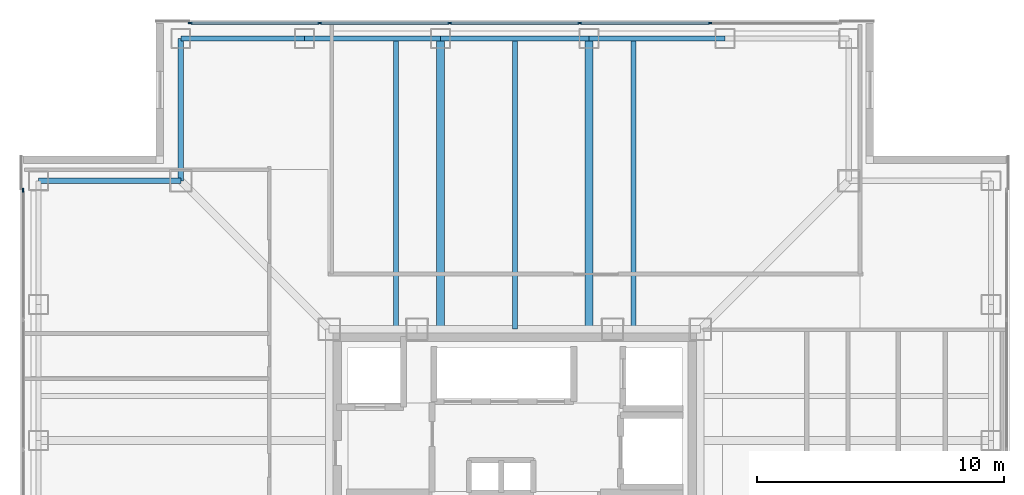
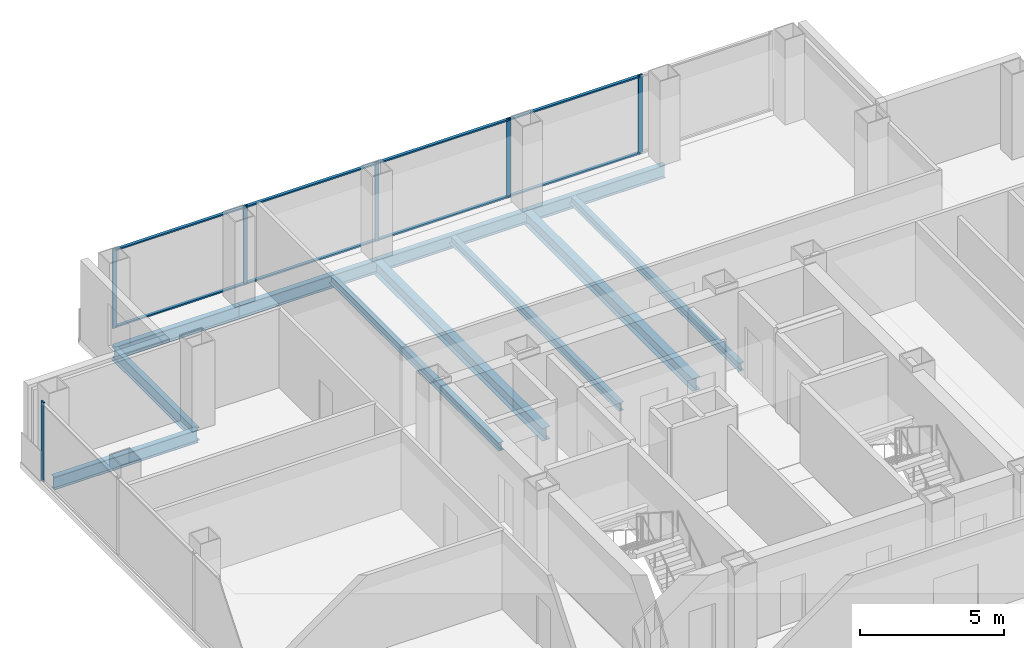
# One storey, part 7 of 17: 14 members, 11 beams, 2 elements without a shape of their own.
"""IFC4 building model written with IfcOpenShell, lengths in metres."""

from ifc_helpers import new_model, si_unit, direction, frame, origin, origin_2d, place, context, subcontext, project, spatial, rectangle, i_section, extrude, material, layer, layer_set, material_profile, profile_set, type_object, element, aggregate, save


model = new_model("IFC4")

# Units and contexts
model_context = context("Model", 3, precision=1e-05, world=origin(), true_north=direction((0.0, 1.0)))
body_context = subcontext(model_context, "Body", "Model", "MODEL_VIEW")
ifc_project = project(units=[si_unit("LENGTHUNIT", "METRE"), si_unit("AREAUNIT", "SQUARE_METRE"), si_unit("VOLUMEUNIT", "CUBIC_METRE"), si_unit("PLANEANGLEUNIT", "RADIAN"), si_unit("MASSUNIT", "GRAM", prefix="KILO")], contexts=[model_context])

# Site, building, storey
site_placement = place(None, origin())
site = spatial("IfcSite", under=ifc_project, at=site_placement, CompositionType="ELEMENT")
building_placement = place(site_placement, origin())
building = spatial("IfcBuilding", under=site, at=building_placement, Name="Trevonay Congress Spire", CompositionType="ELEMENT")
storey_placement = place(building_placement, frame((0.0, 0.0, 209.39990234375)))
storey = spatial("IfcBuildingStorey", under=building, at=storey_placement, Name="L54", CompositionType="ELEMENT", Elevation=209.39990234375)

# Beams
ifc_material_1 = material(Name="Steel ASTM A572 Grade 50", Category="steel")
ifc_material_profile_1 = material_profile(ifc_material_1, i_section(OverallWidth=0.31201171875, OverallDepth=0.54296875, WebThickness=0.0126953125, FlangeThickness=0.020263671875, FilletRadius=0.014892578125, at=origin_2d()), Name="W530x150")
ifc_profile_set_1 = profile_set([ifc_material_profile_1], Name="Steel ASTM A572 Grade 50")
beam_type_1 = type_object("IfcBeamType", Name="BM-GIRD-W530X150", PredefinedType="BEAM", material=ifc_profile_set_1)
for number, where, z_axis, x_axis, name in (
    (1, (-3.0, 7.5, -0.511474609375), (0.0, 1.0, 0.0), (-1.0, 0.0, 0.0), "L54 structural beam BM-L54-GN-M"),
    (2, (3.0, 7.5, -0.511474609375), (0.0, 1.0, 0.0), (-1.0, 0.0, 0.0), "L54 structural beam BM-L54-GN-P"),
):
    element("IfcBeam", number, at=place(storey_placement, frame(where, z_axis=z_axis, x_axis=x_axis)), inside=storey, type_object=beam_type_1, Name=name, PredefinedType="BEAM", context=body_context, shape_type="SweptSolid", body=[
        extrude(i_section(OverallWidth=0.31201171875, OverallDepth=0.54296875, WebThickness=0.0126953125, FlangeThickness=0.020263671875, FilletRadius=0.014892578125, at=origin_2d()), origin(), (0.0, 0.0, 1.0), 11.75),
    ])
ifc_material_profile_2 = material_profile(ifc_material_1, i_section(OverallWidth=0.2119140625, OverallDepth=0.5439453125, WebThickness=0.01318359375, FlangeThickness=0.021240234375, FilletRadius=0.014892578125, at=origin_2d()), Name="W530x123")
ifc_profile_set_2 = profile_set([ifc_material_profile_2], Name="Steel ASTM A572 Grade 50")
beam_type_2 = type_object("IfcBeamType", Name="BM-RING-W530X123", PredefinedType="BEAM", material=ifc_profile_set_2)
beam_1_placement = place(storey_placement, frame((-13.5, 19.25, -0.511962890625), z_axis=(1.0, 0.0, 0.0), x_axis=(0.0, 1.0, 0.0)))
element("IfcBeam", 3, at=beam_1_placement, inside=storey, type_object=beam_type_2, Name="L54 structural beam BM-L54-PN1", PredefinedType="BEAM", context=body_context, shape_type="SweptSolid", body=[
    extrude(i_section(OverallWidth=0.2119140625, OverallDepth=0.5439453125, WebThickness=0.01318359375, FlangeThickness=0.021240234375, FilletRadius=0.014892578125, at=origin_2d()), origin(), (0.0, 0.0, 1.0), 5.0),
])
beam_2_placement = place(storey_placement, frame((-8.5, 19.25, -0.511962890625), z_axis=(1.0, 0.0, 0.0), x_axis=(0.0, 1.0, 0.0)))
element("IfcBeam", 4, at=beam_2_placement, inside=storey, type_object=beam_type_2, Name="L54 structural beam BM-L54-PN2", PredefinedType="BEAM", context=body_context, shape_type="SweptSolid", body=[
    extrude(i_section(OverallWidth=0.2119140625, OverallDepth=0.5439453125, WebThickness=0.01318359375, FlangeThickness=0.021240234375, FilletRadius=0.014892578125, at=origin_2d()), origin(), (0.0, 0.0, 1.0), 5.5),
])
beam_3_placement = place(storey_placement, frame((-3.0, 19.25, -0.511962890625), z_axis=(1.0, 0.0, 0.0), x_axis=(0.0, 1.0, 0.0)))
element("IfcBeam", 5, at=beam_3_placement, inside=storey, type_object=beam_type_2, Name="L54 structural beam BM-L54-PN3", PredefinedType="BEAM", context=body_context, shape_type="SweptSolid", body=[
    extrude(i_section(OverallWidth=0.2119140625, OverallDepth=0.5439453125, WebThickness=0.01318359375, FlangeThickness=0.021240234375, FilletRadius=0.014892578125, at=origin_2d()), origin(), (0.0, 0.0, 1.0), 6.0),
])
beam_4_placement = place(storey_placement, frame((3.0, 19.25, -0.511962890625), z_axis=(1.0, 0.0, 0.0), x_axis=(0.0, 1.0, 0.0)))
element("IfcBeam", 6, at=beam_4_placement, inside=storey, type_object=beam_type_2, Name="L54 structural beam BM-L54-PN4", PredefinedType="BEAM", context=body_context, shape_type="SweptSolid", body=[
    extrude(i_section(OverallWidth=0.2119140625, OverallDepth=0.5439453125, WebThickness=0.01318359375, FlangeThickness=0.021240234375, FilletRadius=0.014892578125, at=origin_2d()), origin(), (0.0, 0.0, 1.0), 5.5),
])
for number, where, z_axis, x_axis, name in (
    (7, (-13.5, 19.25, -0.511962890625), (0.0, -1.0, 0.0), (1.0, 0.0, 0.0), "L54 structural beam BM-L54-N1NW"),
    (8, (-19.25, 13.5, -0.511962890625), (1.0, 0.0, 0.0), (0.0, 1.0, 0.0), "L54 structural beam BM-L54-N2NW"),
):
    element("IfcBeam", number, at=place(storey_placement, frame(where, z_axis=z_axis, x_axis=x_axis)), inside=storey, type_object=beam_type_2, Name=name, PredefinedType="BEAM", context=body_context, shape_type="SweptSolid", body=[
        extrude(i_section(OverallWidth=0.2119140625, OverallDepth=0.5439453125, WebThickness=0.01318359375, FlangeThickness=0.021240234375, FilletRadius=0.014892578125, at=origin_2d()), origin(), (0.0, 0.0, 1.0), 5.75),
    ])

# Curtain wall, members
ifc_material_2 = material(Name="Pale Anodised Aluminium EN AW-6063-T6", Category="aluminium")
ifc_layer = layer(ifc_material_2, 0.169921875, Name="Pale Anodised Aluminium EN AW-6063-T6")
ifc_layer_set = layer_set([ifc_layer], Name="Pale Anodised Aluminium EN AW-6063-T6")
curtain_wall_type = type_object("IfcCurtainWallType", Name="CW-SYS04-CORP-PALE-METAL", PredefinedType="NOTDEFINED", material=ifc_layer_set)
curtain_wall_1_placement = place(storey_placement, origin())
curtain_wall_1 = element("IfcCurtainWall", 9, at=curtain_wall_1_placement, inside=storey, type_object=curtain_wall_type, Name="L54 N unitised curtain wall", PredefinedType="NOTDEFINED")
ifc_material_profile_3 = material_profile(ifc_material_2, rectangle(XDim=0.06005859375, YDim=0.159912109375, at=origin_2d()), Name="CW-MULLION-160-ALUMINIUM")
ifc_profile_set_3 = profile_set([ifc_material_profile_3], Name="Pale Anodised Aluminium EN AW-6063-T6")
member_type_1 = type_object("IfcMemberType", Name="CW-MULLION-160-ALUMINIUM", PredefinedType="MULLION", material=ifc_profile_set_3)
member_1_placement = place(storey_placement, frame((-13.1201171875, 19.8798828125, 0.0), z_axis=(0.0, 0.0, 1.0), x_axis=(0.0, 1.0, 0.0)))
member_1 = element("IfcMember", 10, at=member_1_placement, type_object=member_type_1, Name="CW04 mullion 1", PredefinedType="MULLION", context=body_context, shape_type="SweptSolid", body=[
    extrude(rectangle(XDim=0.06005859375, YDim=0.159912109375, at=origin_2d()), origin(), (0.0, 0.0, 1.0), 3.360107421875),
])
member_2_placement = place(storey_placement, frame((-7.889892578125, 19.8798828125, 0.0), z_axis=(0.0, 0.0, 1.0), x_axis=(0.0, 1.0, 0.0)))
member_2 = element("IfcMember", 11, at=member_2_placement, type_object=member_type_1, Name="CW04 mullion 2", PredefinedType="MULLION", context=body_context, shape_type="SweptSolid", body=[
    extrude(rectangle(XDim=0.06005859375, YDim=0.159912109375, at=origin_2d()), origin(), (0.0, 0.0, 1.0), 3.360107421875),
])
member_3_placement = place(storey_placement, frame((-2.6298828125, 19.8798828125, 0.0), z_axis=(0.0, 0.0, 1.0), x_axis=(0.0, 1.0, 0.0)))
member_3 = element("IfcMember", 12, at=member_3_placement, type_object=member_type_1, Name="CW04 mullion 3", PredefinedType="MULLION", context=body_context, shape_type="SweptSolid", body=[
    extrude(rectangle(XDim=0.06005859375, YDim=0.159912109375, at=origin_2d()), origin(), (0.0, 0.0, 1.0), 3.360107421875),
])
member_4_placement = place(storey_placement, frame((2.6298828125, 19.8798828125, 0.0), z_axis=(0.0, 0.0, 1.0), x_axis=(0.0, 1.0, 0.0)))
member_4 = element("IfcMember", 13, at=member_4_placement, type_object=member_type_1, Name="CW04 mullion 4", PredefinedType="MULLION", context=body_context, shape_type="SweptSolid", body=[
    extrude(rectangle(XDim=0.06005859375, YDim=0.159912109375, at=origin_2d()), origin(), (0.0, 0.0, 1.0), 3.360107421875),
])
member_5_placement = place(storey_placement, frame((7.889892578125, 19.8798828125, 0.0), z_axis=(0.0, 0.0, 1.0), x_axis=(0.0, 1.0, 0.0)))
member_5 = element("IfcMember", 14, at=member_5_placement, type_object=member_type_1, Name="CW04 mullion 5", PredefinedType="MULLION", context=body_context, shape_type="SweptSolid", body=[
    extrude(rectangle(XDim=0.06005859375, YDim=0.159912109375, at=origin_2d()), origin(), (0.0, 0.0, 1.0), 3.360107421875),
])

# Curtain wall, member
curtain_wall_2_placement = place(storey_placement, origin())
curtain_wall_2 = element("IfcCurtainWall", 15, at=curtain_wall_2_placement, inside=storey, type_object=curtain_wall_type, Name="L54 W unitised curtain wall", PredefinedType="NOTDEFINED")
member_6_placement = place(storey_placement, frame((-19.8798828125, 13.1201171875, 0.0), z_axis=(0.0, 0.0, 1.0), x_axis=(-1.0, 0.0, 0.0)))
member_6 = element("IfcMember", 16, at=member_6_placement, type_object=member_type_1, Name="CW04 mullion 6", PredefinedType="MULLION", context=body_context, shape_type="SweptSolid", body=[
    extrude(rectangle(XDim=0.06005859375, YDim=0.159912109375, at=origin_2d()), origin(), (0.0, 0.0, 1.0), 3.360107421875),
])
aggregate(curtain_wall_2, [member_6])

# Member
ifc_material_profile_4 = material_profile(ifc_material_2, rectangle(XDim=0.1201171875, YDim=0.06005859375, at=origin_2d()), Name="CW-TRANSOM-120-ALUMINIUM")
ifc_profile_set_4 = profile_set([ifc_material_profile_4], Name="Pale Anodised Aluminium EN AW-6063-T6")
member_type_2 = type_object("IfcMemberType", Name="CW-TRANSOM-120-ALUMINIUM", PredefinedType="USERDEFINED", material=ifc_profile_set_4)
member_7_placement = place(storey_placement, frame((-13.090087890625, 19.8798828125, 0.06005859375), z_axis=(1.0, 0.0, 0.0), x_axis=(0.0, 1.0, 0.0)))
member_7 = element("IfcMember", 17, at=member_7_placement, type_object=member_type_2, Name="CW04 transom 1.1", ObjectType="TRANSOM", PredefinedType="USERDEFINED", context=body_context, shape_type="SweptSolid", body=[
    extrude(rectangle(XDim=0.1201171875, YDim=0.06005859375, at=origin_2d()), origin(), (0.0, 0.0, 1.0), 5.170166015625),
])

member_8_placement = place(storey_placement, frame((-13.090087890625, 19.8798828125, 3.300048828125), z_axis=(1.0, 0.0, 0.0), x_axis=(0.0, 1.0, 0.0)))
member_8 = element("IfcMember", 18, at=member_8_placement, type_object=member_type_2, Name="CW04 transom 1.2", ObjectType="TRANSOM", PredefinedType="USERDEFINED", context=body_context, shape_type="SweptSolid", body=[
    extrude(rectangle(XDim=0.1201171875, YDim=0.06005859375, at=origin_2d()), origin(), (0.0, 0.0, 1.0), 5.170166015625),
])

member_9_placement = place(storey_placement, frame((-7.860107421875, 19.8798828125, 0.06005859375), z_axis=(1.0, 0.0, 0.0), x_axis=(0.0, 1.0, 0.0)))
member_9 = element("IfcMember", 19, at=member_9_placement, type_object=member_type_2, Name="CW04 transom 2.1", ObjectType="TRANSOM", PredefinedType="USERDEFINED", context=body_context, shape_type="SweptSolid", body=[
    extrude(rectangle(XDim=0.1201171875, YDim=0.06005859375, at=origin_2d()), origin(), (0.0, 0.0, 1.0), 5.2001953125),
])

member_10_placement = place(storey_placement, frame((-7.860107421875, 19.8798828125, 3.300048828125), z_axis=(1.0, 0.0, 0.0), x_axis=(0.0, 1.0, 0.0)))
member_10 = element("IfcMember", 20, at=member_10_placement, type_object=member_type_2, Name="CW04 transom 2.2", ObjectType="TRANSOM", PredefinedType="USERDEFINED", context=body_context, shape_type="SweptSolid", body=[
    extrude(rectangle(XDim=0.1201171875, YDim=0.06005859375, at=origin_2d()), origin(), (0.0, 0.0, 1.0), 5.2001953125),
])

member_11_placement = place(storey_placement, frame((-2.60009765625, 19.8798828125, 0.06005859375), z_axis=(1.0, 0.0, 0.0), x_axis=(0.0, 1.0, 0.0)))
member_11 = element("IfcMember", 21, at=member_11_placement, type_object=member_type_2, Name="CW04 transom 3.1", ObjectType="TRANSOM", PredefinedType="USERDEFINED", context=body_context, shape_type="SweptSolid", body=[
    extrude(rectangle(XDim=0.1201171875, YDim=0.06005859375, at=origin_2d()), origin(), (0.0, 0.0, 1.0), 5.2001953125),
])

member_12_placement = place(storey_placement, frame((-2.60009765625, 19.8798828125, 3.300048828125), z_axis=(1.0, 0.0, 0.0), x_axis=(0.0, 1.0, 0.0)))
member_12 = element("IfcMember", 22, at=member_12_placement, type_object=member_type_2, Name="CW04 transom 3.2", ObjectType="TRANSOM", PredefinedType="USERDEFINED", context=body_context, shape_type="SweptSolid", body=[
    extrude(rectangle(XDim=0.1201171875, YDim=0.06005859375, at=origin_2d()), origin(), (0.0, 0.0, 1.0), 5.2001953125),
])

member_13_placement = place(storey_placement, frame((2.659912109375, 19.8798828125, 0.06005859375), z_axis=(1.0, 0.0, 0.0), x_axis=(0.0, 1.0, 0.0)))
member_13 = element("IfcMember", 23, at=member_13_placement, type_object=member_type_2, Name="CW04 transom 4.1", ObjectType="TRANSOM", PredefinedType="USERDEFINED", context=body_context, shape_type="SweptSolid", body=[
    extrude(rectangle(XDim=0.1201171875, YDim=0.06005859375, at=origin_2d()), origin(), (0.0, 0.0, 1.0), 5.2001953125),
])

member_14_placement = place(storey_placement, frame((2.659912109375, 19.8798828125, 3.300048828125), z_axis=(1.0, 0.0, 0.0), x_axis=(0.0, 1.0, 0.0)))
member_14 = element("IfcMember", 24, at=member_14_placement, type_object=member_type_2, Name="CW04 transom 4.2", ObjectType="TRANSOM", PredefinedType="USERDEFINED", context=body_context, shape_type="SweptSolid", body=[
    extrude(rectangle(XDim=0.1201171875, YDim=0.06005859375, at=origin_2d()), origin(), (0.0, 0.0, 1.0), 5.2001953125),
])

aggregate(curtain_wall_1, [member_1, member_2, member_3, member_4, member_5, member_7, member_8, member_9, member_10, member_11, member_12, member_13, member_14])

# Beams
ifc_material_profile_5 = material_profile(ifc_material_1, i_section(OverallWidth=0.205078125, OverallDepth=0.35400390625, WebThickness=0.009521484375, FlangeThickness=0.016845703125, FilletRadius=0.011962890625, at=origin_2d()), Name="W360x79")
ifc_profile_set_5 = profile_set([ifc_material_profile_5], Name="Steel ASTM A572 Grade 50")
beam_type_3 = type_object("IfcBeamType", Name="JS-COMP-W360X79", PredefinedType="JOIST", material=ifc_profile_set_5)
for number, where, z_axis, x_axis, name in (
    (25, (-4.800048828125, 7.5, -0.4169921875), (0.0, 1.0, 0.0), (-1.0, 0.0, 0.0), "L54 structural beam JS-L54-NS-N1"),
    (26, (0.0, 7.5, -0.4169921875), (0.0, 1.0, 0.0), (-1.0, 0.0, 0.0), "L54 structural beam JS-L54-NS-N2"),
    (27, (4.800048828125, 7.5, -0.4169921875), (0.0, 1.0, 0.0), (-1.0, 0.0, 0.0), "L54 structural beam JS-L54-NS-N3"),
):
    element("IfcBeam", number, at=place(storey_placement, frame(where, z_axis=z_axis, x_axis=x_axis)), inside=storey, type_object=beam_type_3, Name=name, PredefinedType="JOIST", context=body_context, shape_type="SweptSolid", body=[
        extrude(i_section(OverallWidth=0.205078125, OverallDepth=0.35400390625, WebThickness=0.009521484375, FlangeThickness=0.016845703125, FilletRadius=0.011962890625, at=origin_2d()), origin(), (0.0, 0.0, 1.0), 11.75),
    ])

save(model, "model.ifc")
